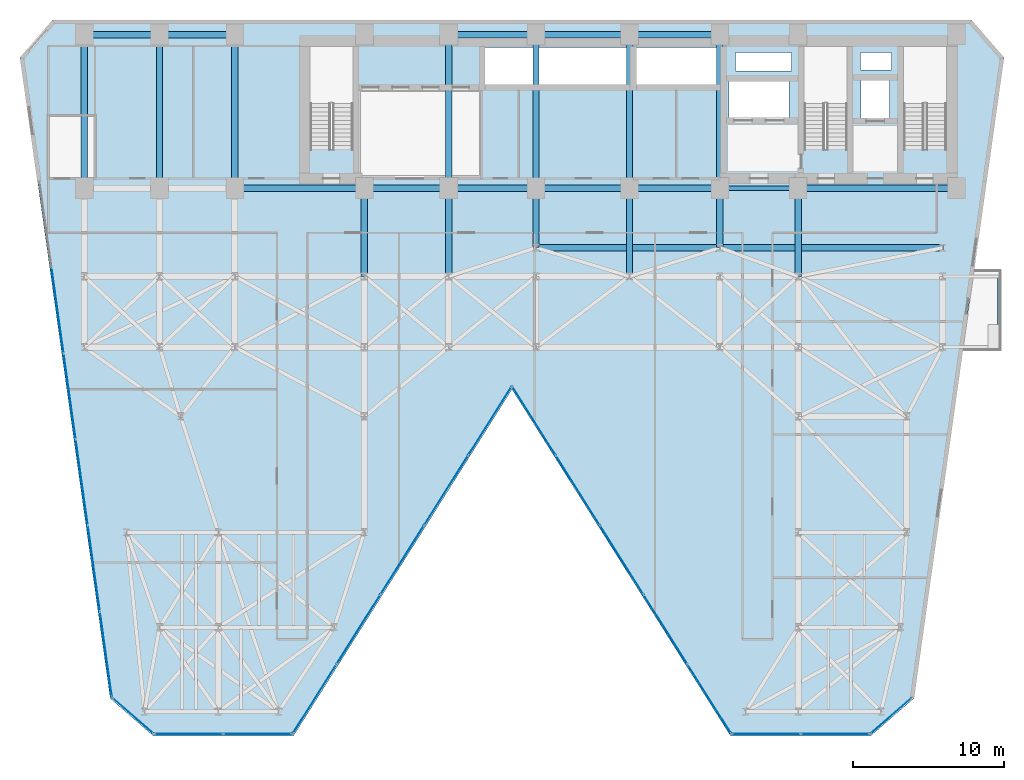
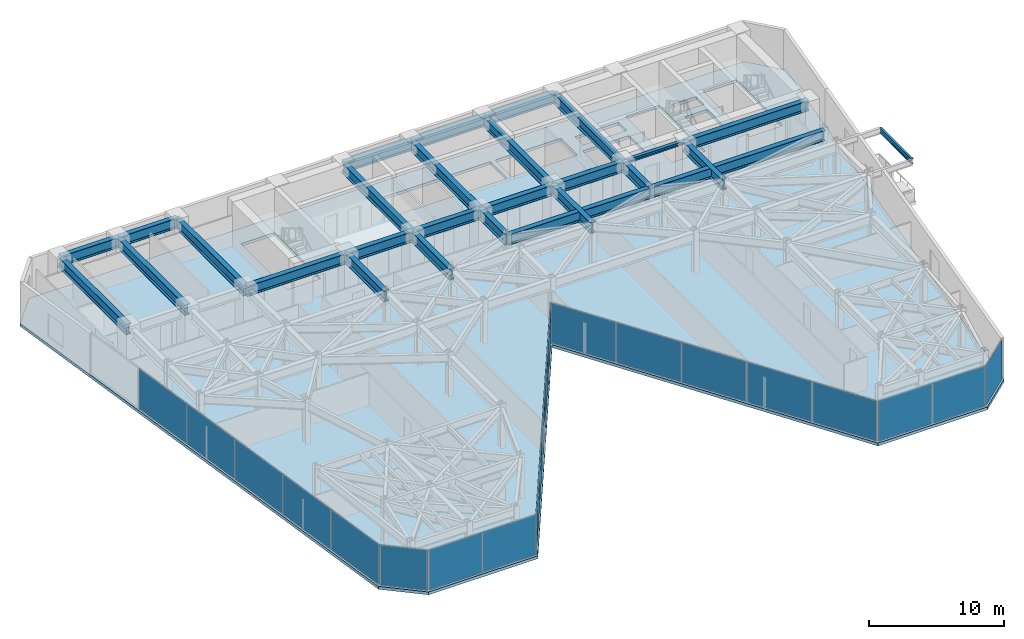
# One storey, part 18 of 24: 28 beams, 21 plates, 1 slab, 7 elements without a shape of their own.
"""IFC4 building model written with IfcOpenShell, lengths in metres."""

import ifcopenshell
import ifcopenshell.guid

model = None  # the IFC model being written
_history = None  # IfcOwnerHistory: only IFC2X3 demands one
_inside = {}  # id of a spatial element -> (the spatial element, [elements in it])
_under = {}  # id of a project, library or spatial element -> (it, [spatial elements below it])
_declared = {}  # id of a project -> (the project, [libraries it declares])
_typed = {}  # id of a type object -> (the type object, [elements of that type])
_made_of = {}  # id of a material, layer set ... -> (it, [elements and type objects made of it])


def new_model(schema):
    """Start an empty IFC model of exactly this schema.

    Asked for "IFC4X3", IfcOpenShell would pick the latest addendum, in which some entities
    have other attributes; the version numbers below select the first issue.
    IFC2X3 requires an IfcOwnerHistory on every rooted entity: one is made here for all.
    """
    global model, _history
    if schema == "IFC4X3":
        model = ifcopenshell.file(schema_version=(4, 3, 0, 0))
    else:
        model = ifcopenshell.file(schema=schema)
    _inside.clear()
    _under.clear()
    _declared.clear()
    _typed.clear()
    _made_of.clear()
    _history = None
    if model.schema == "IFC2X3":
        org = make("IfcOrganization", Name="unknown")
        user = make(
            "IfcPersonAndOrganization",
            ThePerson=make("IfcPerson", FamilyName="unknown"),
            TheOrganization=org,
        )
        app = make(
            "IfcApplication",
            ApplicationDeveloper=org,
            Version="unknown",
            ApplicationFullName="unknown",
            ApplicationIdentifier="unknown",
        )
        _history = make(
            "IfcOwnerHistory",
            OwningUser=user,
            OwningApplication=app,
            ChangeAction="ADDED",
            CreationDate=0,
        )
    return model


def make(cls, **values):
    """One entity of the class cls with the attributes given. An attribute that is None is left unset."""
    return model.create_entity(
        cls, **{name: value for name, value in values.items() if value is not None}
    )


def rooted(cls, **values):
    """An entity with a GlobalId (a new one), such as an element, a storey or a relation."""
    return make(cls, GlobalId=ifcopenshell.guid.new(), OwnerHistory=_history, **values)


def si_unit(unit_type, name, prefix=None):
    """IfcSIUnit, for example si_unit("LENGTHUNIT", "METRE", prefix="MILLI")."""
    return make("IfcSIUnit", UnitType=unit_type, Prefix=prefix, Name=name)


def assignment(units):
    """IfcUnitAssignment: the units of a project."""
    return None if units is None else make("IfcUnitAssignment", Units=units)


def point(xyz):
    """IfcCartesianPoint."""
    return None if xyz is None else make("IfcCartesianPoint", Coordinates=xyz)


def direction(xyz):
    """IfcDirection."""
    return None if xyz is None else make("IfcDirection", DirectionRatios=xyz)


def frame(location, z_axis=None, x_axis=None):
    """IfcAxis2Placement3D, a coordinate frame: its origin and axes. An axis left out is left unset."""
    return make(
        "IfcAxis2Placement3D",
        Location=point(location),
        Axis=direction(z_axis),
        RefDirection=direction(x_axis),
    )


def frame_2d(location, x_axis=None):
    """IfcAxis2Placement2D, a coordinate frame in the plane: its origin and x axis."""
    return make(
        "IfcAxis2Placement2D", Location=point(location), RefDirection=direction(x_axis)
    )


def origin():
    """The frame at (0, 0, 0) with its axes left unset."""
    return frame((0.0, 0.0, 0.0))


def origin_2d():
    """The frame at (0, 0) in the plane with its x axis left unset."""
    return frame_2d((0.0, 0.0))


def place(relative_to, where):
    """IfcLocalPlacement: puts the frame where relative to a parent placement (None: the world)."""
    return make(
        "IfcLocalPlacement", PlacementRelTo=relative_to, RelativePlacement=where
    )


def context(
    kind, dimensions, precision=None, world=None, true_north=None, identifier=None
):
    """IfcGeometricRepresentationContext, for example the 3D "Model" context."""
    return make(
        "IfcGeometricRepresentationContext",
        ContextIdentifier=identifier,
        ContextType=kind,
        CoordinateSpaceDimension=dimensions,
        Precision=precision,
        WorldCoordinateSystem=world,
        TrueNorth=true_north,
    )


def subcontext(parent, identifier, kind, view, scale=None):
    """IfcGeometricRepresentationSubContext, for example "Body" below "Model"."""
    return make(
        "IfcGeometricRepresentationSubContext",
        ContextIdentifier=identifier,
        ContextType=kind,
        ParentContext=parent,
        TargetScale=scale,
        TargetView=view,
    )


def project(units=None, contexts=None):
    """IfcProject with its units and contexts."""
    return rooted(
        "IfcProject",
        Name="project",
        RepresentationContexts=contexts,
        UnitsInContext=assignment(units),
    )


def spatial(cls, under=None, at=None, **own):
    """A site, building, storey or space (cls), placed at a placement, below another one or the project."""
    s = rooted(cls, ObjectPlacement=at, **own)
    if under is not None:
        _under.setdefault(under.id(), (under, []))[1].append(s)
    return s


def polyline(points):
    """IfcPolyline through the points."""
    return make("IfcPolyline", Points=[point(p) for p in points])


def profile(cls, at=None, kind="AREA", **sizes):
    """A parametric profile (cls). Its sizes go by their IFC names, for example OverallWidth=200.0."""
    return make(cls, ProfileType=kind, Position=at, **sizes)


def rectangle(**sizes):
    """IfcRectangleProfileDef."""
    return profile("IfcRectangleProfileDef", **sizes)


def i_section(**sizes):
    """IfcIShapeProfileDef."""
    return profile("IfcIShapeProfileDef", **sizes)


def outline(outer, holes=None, kind="AREA"):
    """IfcArbitraryClosedProfileDef: a profile drawn as a closed curve; with holes, ...WithVoids."""
    if holes is None:
        return make("IfcArbitraryClosedProfileDef", ProfileType=kind, OuterCurve=outer)
    return make(
        "IfcArbitraryProfileDefWithVoids",
        ProfileType=kind,
        OuterCurve=outer,
        InnerCurves=holes,
    )


def extrude(swept, where, along, depth):
    """IfcExtrudedAreaSolid: the profile swept, set in the frame where, extruded along a direction by depth."""
    return make(
        "IfcExtrudedAreaSolid",
        SweptArea=swept,
        Position=where,
        ExtrudedDirection=direction(along),
        Depth=depth,
    )


def shape(context_of_items, identifier, shape_type, items):
    """IfcShapeRepresentation: the items that make up one representation, for example the "Body"."""
    return make(
        "IfcShapeRepresentation",
        ContextOfItems=context_of_items,
        RepresentationIdentifier=identifier,
        RepresentationType=shape_type,
        Items=items,
    )


def material(Name=None, Category=None):
    """IfcMaterial."""
    return make("IfcMaterial", Name=Name, Category=Category)


def layer(
    of_material, thickness, ventilated=None, Name=None, Category=None, Priority=None
):
    """IfcMaterialLayer: one layer of a wall or slab, of a material (None: an air gap)."""
    return make(
        "IfcMaterialLayer",
        Material=of_material,
        LayerThickness=thickness,
        IsVentilated=ventilated,
        Name=Name,
        Category=Category,
        Priority=Priority,
    )


def layer_set(layers, Name=None):
    """IfcMaterialLayerSet."""
    return make("IfcMaterialLayerSet", MaterialLayers=layers, LayerSetName=Name)


def material_profile(
    of_material, cross_section, Name=None, Category=None, Priority=None
):
    """IfcMaterialProfile: a cross section and its material."""
    return make(
        "IfcMaterialProfile",
        Name=Name,
        Material=of_material,
        Profile=cross_section,
        Priority=Priority,
        Category=Category,
    )


def profile_set(profiles, Name=None, composite=None):
    """IfcMaterialProfileSet."""
    return make(
        "IfcMaterialProfileSet",
        Name=Name,
        MaterialProfiles=profiles,
        CompositeProfile=composite,
    )


def made_of(thing, what):
    """Note that an element or type object is made of a material, layer set ...; save() writes the relation."""
    if what is not None:
        _made_of.setdefault(what.id(), (what, []))[1].append(thing)
    return thing


def type_object(cls, material=None, **own):
    """A type object (cls), such as IfcWallType, which elements share."""
    return made_of(rooted(cls, **own), material)


def element(
    cls,
    number,
    at=None,
    inside=None,
    cuts=None,
    type_object=None,
    material=None,
    context=None,
    identifier="Body",
    shape_type=None,
    held_by="IfcProductDefinitionShape",
    body=None,
    shapes=None,
    **own,
):
    """One element of the class cls, such as IfcWall. Its Tag is "e" and its number.

    at: its placement. inside: the storey or other place that contains it. cuts: it is an
    opening in that element (IfcRelVoidsElement). A single representation is given by context,
    identifier, shape_type and body (its items); several are given by shapes. held_by: the class
    of the entity that holds the representations. save() writes the other relations.
    """
    e = rooted(cls, Tag="e%d" % number, ObjectPlacement=at, **own)
    if body is not None:
        shapes = [shape(context, identifier, shape_type, body)]
    if shapes is not None:
        e.Representation = make(held_by, Representations=shapes)
    if inside is not None:
        _inside.setdefault(inside.id(), (inside, []))[1].append(e)
    if cuts is not None:
        rooted(
            "IfcRelVoidsElement", RelatingBuildingElement=cuts, RelatedOpeningElement=e
        )
    if type_object is not None:
        _typed.setdefault(type_object.id(), (type_object, []))[1].append(e)
    return made_of(e, material)


def aggregate(whole, parts):
    """IfcRelAggregates: a whole, such as a stair, and the parts it consists of."""
    return rooted("IfcRelAggregates", RelatingObject=whole, RelatedObjects=parts)


def save(model, path):
    """Write the relations noted so far, then the file.

    IfcRelAggregates (storeys below a building ...), IfcRelContainedInSpatialStructure (elements
    in a storey), IfcRelDefinesByType, IfcRelAssociatesMaterial and IfcRelDeclares: one each for
    every whole, place, type object, material and project.
    """
    for whole, parts in _under.values():
        aggregate(whole, parts)
    for where, things in _inside.values():
        rooted(
            "IfcRelContainedInSpatialStructure",
            RelatedElements=things,
            RelatingStructure=where,
        )
    for kind, things in _typed.values():
        rooted("IfcRelDefinesByType", RelatedObjects=things, RelatingType=kind)
    for what, things in _made_of.values():
        rooted("IfcRelAssociatesMaterial", RelatedObjects=things, RelatingMaterial=what)
    for by, libraries in _declared.values():
        rooted("IfcRelDeclares", RelatingContext=by, RelatedDefinitions=libraries)
    model.write(path)


model = new_model("IFC4")

# Units and contexts
model_context = context("Model", 3, precision=1e-05, world=origin(), true_north=direction((0.0, 1.0)))
body_context = subcontext(model_context, "Body", "Model", "MODEL_VIEW")
ifc_project = project(units=[si_unit("LENGTHUNIT", "METRE"), si_unit("AREAUNIT", "SQUARE_METRE"), si_unit("VOLUMEUNIT", "CUBIC_METRE"), si_unit("PLANEANGLEUNIT", "RADIAN"), si_unit("MASSUNIT", "GRAM", prefix="KILO")], contexts=[model_context])

# Site, building, storey
site_placement = place(None, origin())
site = spatial("IfcSite", under=ifc_project, at=site_placement, CompositionType="ELEMENT")
building_placement = place(site_placement, origin())
building = spatial("IfcBuilding", under=site, at=building_placement, Name="Kravanh Interchange Tower", CompositionType="ELEMENT")
storey_placement = place(building_placement, frame((0.0, 0.0, 69.5)))
storey = spatial("IfcBuildingStorey", under=building, at=storey_placement, Name="L16", CompositionType="ELEMENT", Elevation=69.5)

# Beams
ifc_material_1 = material(Name="Structural Steel S355", Category="steel")
ifc_material_profile_1 = material_profile(ifc_material_1, i_section(OverallWidth=0.41796875, OverallDepth=0.927001953125, WebThickness=0.019287109375, FlangeThickness=0.031982421875, FilletRadius=0.028076171875, at=origin_2d()), Name="W36X231")
ifc_profile_set_1 = profile_set([ifc_material_profile_1], Name="Structural Steel S355")
beam_type_1 = type_object("IfcBeamType", Name="Floor Beam W36X231 Structural Steel S355", PredefinedType="BEAM", material=ifc_profile_set_1)
beam_1_placement = place(storey_placement, frame((66.5, 37.35009765625, 3.276611328125), z_axis=(-1.0, 0.0, 0.0), x_axis=(0.0, -1.0, 0.0)))
element("IfcBeam", 1, at=beam_1_placement, inside=storey, type_object=beam_type_1, Name="L16 Primary Floor Girder 5", PredefinedType="BEAM", context=body_context, shape_type="SweptSolid", body=[
    extrude(i_section(OverallWidth=0.41796875, OverallDepth=0.927001953125, WebThickness=0.019287109375, FlangeThickness=0.031982421875, FilletRadius=0.028076171875, at=origin_2d()), origin(), (0.0, 0.0, 1.0), 10.5),
])
beam_2_placement = place(storey_placement, frame((56.0, 37.35009765625, 3.276611328125), z_axis=(0.0, -1.0, 0.0), x_axis=(1.0, 0.0, 0.0)))
element("IfcBeam", 2, at=beam_2_placement, inside=storey, type_object=beam_type_1, Name="L16 Primary Floor Girder 7", PredefinedType="BEAM", context=body_context, shape_type="SweptSolid", body=[
    extrude(i_section(OverallWidth=0.41796875, OverallDepth=0.927001953125, WebThickness=0.019287109375, FlangeThickness=0.031982421875, FilletRadius=0.028076171875, at=origin_2d()), origin(), (0.0, 0.0, 1.0), 5.85009765625),
])
beam_3_placement = place(storey_placement, frame((50.800048828125, 47.550048828125, 3.276611328125), z_axis=(-1.0, 0.0, 0.0), x_axis=(0.0, -1.0, 0.0)))
element("IfcBeam", 3, at=beam_3_placement, inside=storey, type_object=beam_type_1, Name="L16 Primary Floor Girder 8", PredefinedType="BEAM", context=body_context, shape_type="SweptSolid", body=[
    extrude(i_section(OverallWidth=0.41796875, OverallDepth=0.927001953125, WebThickness=0.019287109375, FlangeThickness=0.031982421875, FilletRadius=0.028076171875, at=origin_2d()), origin(), (0.0, 0.0, 1.0), 6.0),
])
beam_4_placement = place(storey_placement, frame((50.800048828125, 47.550048828125, 3.276611328125), z_axis=(0.0, -1.0, 0.0), x_axis=(1.0, 0.0, 0.0)))
element("IfcBeam", 4, at=beam_4_placement, inside=storey, type_object=beam_type_1, Name="L16 Primary Floor Girder 9", PredefinedType="BEAM", context=body_context, shape_type="SweptSolid", body=[
    extrude(i_section(OverallWidth=0.41796875, OverallDepth=0.927001953125, WebThickness=0.019287109375, FlangeThickness=0.031982421875, FilletRadius=0.028076171875, at=origin_2d()), origin(), (0.0, 0.0, 1.0), 10.199951171875),
])
beam_5_placement = place(storey_placement, frame((50.800048828125, 37.35009765625, 3.276611328125), z_axis=(0.0, -1.0, 0.0), x_axis=(1.0, 0.0, 0.0)))
element("IfcBeam", 5, at=beam_5_placement, inside=storey, type_object=beam_type_1, Name="L16 Primary Floor Girder 10", PredefinedType="BEAM", context=body_context, shape_type="SweptSolid", body=[
    extrude(i_section(OverallWidth=0.41796875, OverallDepth=0.927001953125, WebThickness=0.019287109375, FlangeThickness=0.031982421875, FilletRadius=0.028076171875, at=origin_2d()), origin(), (0.0, 0.0, 1.0), 3.9501953125),
])
beam_6_placement = place(storey_placement, frame((50.800048828125, 37.35009765625, 3.276611328125), z_axis=(-1.0, 0.0, 0.0), x_axis=(0.0, -1.0, 0.0)))
element("IfcBeam", 6, at=beam_6_placement, inside=storey, type_object=beam_type_1, Name="L16 Primary Floor Girder 11", PredefinedType="BEAM", context=body_context, shape_type="SweptSolid", body=[
    extrude(i_section(OverallWidth=0.41796875, OverallDepth=0.927001953125, WebThickness=0.019287109375, FlangeThickness=0.031982421875, FilletRadius=0.028076171875, at=origin_2d()), origin(), (0.0, 0.0, 1.0), 6.0),
])
beam_7_placement = place(storey_placement, frame((44.800048828125, 37.35009765625, 3.276611328125), z_axis=(0.0, -1.0, 0.0), x_axis=(1.0, 0.0, 0.0)))
element("IfcBeam", 7, at=beam_7_placement, inside=storey, type_object=beam_type_1, Name="L16 Primary Floor Girder 12", PredefinedType="BEAM", context=body_context, shape_type="SweptSolid", body=[
    extrude(i_section(OverallWidth=0.41796875, OverallDepth=0.927001953125, WebThickness=0.019287109375, FlangeThickness=0.031982421875, FilletRadius=0.028076171875, at=origin_2d()), origin(), (0.0, 0.0, 1.0), 5.85009765625),
])
beam_8_placement = place(storey_placement, frame((44.800048828125, 37.35009765625, 3.276611328125), z_axis=(-1.0, 0.0, 0.0), x_axis=(0.0, -1.0, 0.0)))
element("IfcBeam", 8, at=beam_8_placement, inside=storey, type_object=beam_type_1, Name="L16 Primary Floor Girder 13", PredefinedType="BEAM", context=body_context, shape_type="SweptSolid", body=[
    extrude(i_section(OverallWidth=0.41796875, OverallDepth=0.927001953125, WebThickness=0.019287109375, FlangeThickness=0.031982421875, FilletRadius=0.028076171875, at=origin_2d()), origin(), (0.0, 0.0, 1.0), 6.199951171875),
])
beam_9_placement = place(storey_placement, frame((44.800048828125, 37.35009765625, 3.276611328125), z_axis=(0.0, 1.0, 0.0), x_axis=(-1.0, 0.0, 0.0)))
element("IfcBeam", 9, at=beam_9_placement, inside=storey, type_object=beam_type_1, Name="L16 Primary Floor Girder 14", PredefinedType="BEAM", context=body_context, shape_type="SweptSolid", body=[
    extrude(i_section(OverallWidth=0.41796875, OverallDepth=0.927001953125, WebThickness=0.019287109375, FlangeThickness=0.031982421875, FilletRadius=0.028076171875, at=origin_2d()), origin(), (0.0, 0.0, 1.0), 10.199951171875),
])
beam_10_placement = place(storey_placement, frame((44.800048828125, 47.550048828125, 3.276611328125), z_axis=(-1.0, 0.0, 0.0), x_axis=(0.0, -1.0, 0.0)))
element("IfcBeam", 10, at=beam_10_placement, inside=storey, type_object=beam_type_1, Name="L16 Primary Floor Girder 15", PredefinedType="BEAM", context=body_context, shape_type="SweptSolid", body=[
    extrude(i_section(OverallWidth=0.41796875, OverallDepth=0.927001953125, WebThickness=0.019287109375, FlangeThickness=0.031982421875, FilletRadius=0.028076171875, at=origin_2d()), origin(), (0.0, 0.0, 1.0), 6.199951171875),
])
beam_11_placement = place(storey_placement, frame((38.60009765625, 37.35009765625, 3.276611328125), z_axis=(0.0, -1.0, 0.0), x_axis=(1.0, 0.0, 0.0)))
element("IfcBeam", 11, at=beam_11_placement, inside=storey, type_object=beam_type_1, Name="L16 Primary Floor Girder 16", PredefinedType="BEAM", context=body_context, shape_type="SweptSolid", body=[
    extrude(i_section(OverallWidth=0.41796875, OverallDepth=0.927001953125, WebThickness=0.019287109375, FlangeThickness=0.031982421875, FilletRadius=0.028076171875, at=origin_2d()), origin(), (0.0, 0.0, 1.0), 3.9501953125),
])
beam_12_placement = place(storey_placement, frame((38.60009765625, 37.35009765625, 3.276611328125), z_axis=(-1.0, 0.0, 0.0), x_axis=(0.0, -1.0, 0.0)))
element("IfcBeam", 12, at=beam_12_placement, inside=storey, type_object=beam_type_1, Name="L16 Primary Floor Girder 17", PredefinedType="BEAM", context=body_context, shape_type="SweptSolid", body=[
    extrude(i_section(OverallWidth=0.41796875, OverallDepth=0.927001953125, WebThickness=0.019287109375, FlangeThickness=0.031982421875, FilletRadius=0.028076171875, at=origin_2d()), origin(), (0.0, 0.0, 1.0), 5.800048828125),
])
beam_13_placement = place(storey_placement, frame((38.60009765625, 37.35009765625, 3.276611328125), z_axis=(0.0, 1.0, 0.0), x_axis=(-1.0, 0.0, 0.0)))
element("IfcBeam", 13, at=beam_13_placement, inside=storey, type_object=beam_type_1, Name="L16 Primary Floor Girder 18", PredefinedType="BEAM", context=body_context, shape_type="SweptSolid", body=[
    extrude(i_section(OverallWidth=0.41796875, OverallDepth=0.927001953125, WebThickness=0.019287109375, FlangeThickness=0.031982421875, FilletRadius=0.028076171875, at=origin_2d()), origin(), (0.0, 0.0, 1.0), 10.199951171875),
])
beam_14_placement = place(storey_placement, frame((38.60009765625, 47.550048828125, 3.276611328125), z_axis=(-1.0, 0.0, 0.0), x_axis=(0.0, -1.0, 0.0)))
element("IfcBeam", 14, at=beam_14_placement, inside=storey, type_object=beam_type_1, Name="L16 Primary Floor Girder 19", PredefinedType="BEAM", context=body_context, shape_type="SweptSolid", body=[
    extrude(i_section(OverallWidth=0.41796875, OverallDepth=0.927001953125, WebThickness=0.019287109375, FlangeThickness=0.031982421875, FilletRadius=0.028076171875, at=origin_2d()), origin(), (0.0, 0.0, 1.0), 5.800048828125),
])
beam_15_placement = place(storey_placement, frame((32.800048828125, 37.35009765625, 3.276611328125), z_axis=(-1.0, 0.0, 0.0), x_axis=(0.0, -1.0, 0.0)))
element("IfcBeam", 15, at=beam_15_placement, inside=storey, type_object=beam_type_1, Name="L16 Primary Floor Girder 20", PredefinedType="BEAM", context=body_context, shape_type="SweptSolid", body=[
    extrude(i_section(OverallWidth=0.41796875, OverallDepth=0.927001953125, WebThickness=0.019287109375, FlangeThickness=0.031982421875, FilletRadius=0.028076171875, at=origin_2d()), origin(), (0.0, 0.0, 1.0), 5.60009765625),
])
beam_16_placement = place(storey_placement, frame((32.800048828125, 37.35009765625, 3.276611328125), z_axis=(0.0, -1.0, 0.0), x_axis=(1.0, 0.0, 0.0)))
element("IfcBeam", 16, at=beam_16_placement, inside=storey, type_object=beam_type_1, Name="L16 Primary Floor Girder 21", PredefinedType="BEAM", context=body_context, shape_type="SweptSolid", body=[
    extrude(i_section(OverallWidth=0.41796875, OverallDepth=0.927001953125, WebThickness=0.019287109375, FlangeThickness=0.031982421875, FilletRadius=0.028076171875, at=origin_2d()), origin(), (0.0, 0.0, 1.0), 5.85009765625),
])
beam_17_placement = place(storey_placement, frame((32.800048828125, 37.35009765625, 3.276611328125), z_axis=(0.0, 1.0, 0.0), x_axis=(-1.0, 0.0, 0.0)))
element("IfcBeam", 17, at=beam_17_placement, inside=storey, type_object=beam_type_1, Name="L16 Primary Floor Girder 22", PredefinedType="BEAM", context=body_context, shape_type="SweptSolid", body=[
    extrude(i_section(OverallWidth=0.41796875, OverallDepth=0.927001953125, WebThickness=0.019287109375, FlangeThickness=0.031982421875, FilletRadius=0.028076171875, at=origin_2d()), origin(), (0.0, 0.0, 1.0), 10.199951171875),
])
beam_18_placement = place(storey_placement, frame((27.199951171875, 37.35009765625, 3.276611328125), z_axis=(0.0, -1.0, 0.0), x_axis=(1.0, 0.0, 0.0)))
element("IfcBeam", 18, at=beam_18_placement, inside=storey, type_object=beam_type_1, Name="L16 Primary Floor Girder 24", PredefinedType="BEAM", context=body_context, shape_type="SweptSolid", body=[
    extrude(i_section(OverallWidth=0.41796875, OverallDepth=0.927001953125, WebThickness=0.019287109375, FlangeThickness=0.031982421875, FilletRadius=0.028076171875, at=origin_2d()), origin(), (0.0, 0.0, 1.0), 5.85009765625),
])
beam_19_placement = place(storey_placement, frame((27.199951171875, 37.35009765625, 3.276611328125), z_axis=(-1.0, 0.0, 0.0), x_axis=(0.0, -1.0, 0.0)))
element("IfcBeam", 19, at=beam_19_placement, inside=storey, type_object=beam_type_1, Name="L16 Primary Floor Girder 25", PredefinedType="BEAM", context=body_context, shape_type="SweptSolid", body=[
    extrude(i_section(OverallWidth=0.41796875, OverallDepth=0.927001953125, WebThickness=0.019287109375, FlangeThickness=0.031982421875, FilletRadius=0.028076171875, at=origin_2d()), origin(), (0.0, 0.0, 1.0), 8.599853515625),
])
beam_20_placement = place(storey_placement, frame((18.60009765625, 37.35009765625, 3.276611328125), z_axis=(0.0, 1.0, 0.0), x_axis=(-1.0, 0.0, 0.0)))
element("IfcBeam", 20, at=beam_20_placement, inside=storey, type_object=beam_type_1, Name="L16 Primary Floor Girder 30", PredefinedType="BEAM", context=body_context, shape_type="SweptSolid", body=[
    extrude(i_section(OverallWidth=0.41796875, OverallDepth=0.927001953125, WebThickness=0.019287109375, FlangeThickness=0.031982421875, FilletRadius=0.028076171875, at=origin_2d()), origin(), (0.0, 0.0, 1.0), 10.199951171875),
])
beam_21_placement = place(storey_placement, frame((18.60009765625, 47.550048828125, 3.276611328125), z_axis=(-1.0, 0.0, 0.0), x_axis=(0.0, -1.0, 0.0)))
element("IfcBeam", 21, at=beam_21_placement, inside=storey, type_object=beam_type_1, Name="L16 Primary Floor Girder 31", PredefinedType="BEAM", context=body_context, shape_type="SweptSolid", body=[
    extrude(i_section(OverallWidth=0.41796875, OverallDepth=0.927001953125, WebThickness=0.019287109375, FlangeThickness=0.031982421875, FilletRadius=0.028076171875, at=origin_2d()), origin(), (0.0, 0.0, 1.0), 5.0),
])
beam_22_placement = place(storey_placement, frame((13.60009765625, 37.35009765625, 3.276611328125), z_axis=(0.0, 1.0, 0.0), x_axis=(-1.0, 0.0, 0.0)))
element("IfcBeam", 22, at=beam_22_placement, inside=storey, type_object=beam_type_1, Name="L16 Primary Floor Girder 34", PredefinedType="BEAM", context=body_context, shape_type="SweptSolid", body=[
    extrude(i_section(OverallWidth=0.41796875, OverallDepth=0.927001953125, WebThickness=0.019287109375, FlangeThickness=0.031982421875, FilletRadius=0.028076171875, at=origin_2d()), origin(), (0.0, 0.0, 1.0), 10.199951171875),
])
beam_23_placement = place(storey_placement, frame((13.60009765625, 47.550048828125, 3.276611328125), z_axis=(-1.0, 0.0, 0.0), x_axis=(0.0, -1.0, 0.0)))
element("IfcBeam", 23, at=beam_23_placement, inside=storey, type_object=beam_type_1, Name="L16 Primary Floor Girder 35", PredefinedType="BEAM", context=body_context, shape_type="SweptSolid", body=[
    extrude(i_section(OverallWidth=0.41796875, OverallDepth=0.927001953125, WebThickness=0.019287109375, FlangeThickness=0.031982421875, FilletRadius=0.028076171875, at=origin_2d()), origin(), (0.0, 0.0, 1.0), 5.0),
])
beam_24_placement = place(storey_placement, frame((8.60009765625, 37.35009765625, 3.276611328125), z_axis=(0.0, 1.0, 0.0), x_axis=(-1.0, 0.0, 0.0)))
element("IfcBeam", 24, at=beam_24_placement, inside=storey, type_object=beam_type_1, Name="L16 Primary Floor Girder 37", PredefinedType="BEAM", context=body_context, shape_type="SweptSolid", body=[
    extrude(i_section(OverallWidth=0.41796875, OverallDepth=0.927001953125, WebThickness=0.019287109375, FlangeThickness=0.031982421875, FilletRadius=0.028076171875, at=origin_2d()), origin(), (0.0, 0.0, 1.0), 10.199951171875),
])
beam_25_placement = place(storey_placement, frame((38.60009765625, 33.39990234375, 3.276611328125), z_axis=(1.0, 0.0, 0.0), x_axis=(0.0, 1.0, 0.0)))
element("IfcBeam", 25, at=beam_25_placement, inside=storey, type_object=beam_type_1, Name="L16 Primary Floor Girder 145", PredefinedType="BEAM", context=body_context, shape_type="SweptSolid", body=[
    extrude(i_section(OverallWidth=0.41796875, OverallDepth=0.927001953125, WebThickness=0.019287109375, FlangeThickness=0.031982421875, FilletRadius=0.028076171875, at=origin_2d()), origin(), (0.0, 0.0, 1.0), 12.199951171875),
])
beam_26_placement = place(storey_placement, frame((50.800048828125, 33.39990234375, 3.276611328125), z_axis=(1.0, 0.0, 0.0), x_axis=(0.0, 1.0, 0.0)))
element("IfcBeam", 26, at=beam_26_placement, inside=storey, type_object=beam_type_1, Name="L16 Primary Floor Girder 146", PredefinedType="BEAM", context=body_context, shape_type="SweptSolid", body=[
    extrude(i_section(OverallWidth=0.41796875, OverallDepth=0.927001953125, WebThickness=0.019287109375, FlangeThickness=0.031982421875, FilletRadius=0.028076171875, at=origin_2d()), origin(), (0.0, 0.0, 1.0), 14.800048828125),
])
ifc_material_2 = material(Name="Structural Steel S355", Category="steel")
ifc_material_profile_2 = material_profile(ifc_material_2, i_section(OverallWidth=0.18994140625, OverallDepth=0.45703125, WebThickness=0.009033203125, FlangeThickness=0.014404296875, FilletRadius=0.01806640625, at=origin_2d()), Name="W18X50")
ifc_profile_set_2 = profile_set([ifc_material_profile_2], Name="Structural Steel S355")
beam_type_2 = type_object("IfcBeamType", Name="Floor Joist W18X50 Structural Steel S355", PredefinedType="JOIST", material=ifc_profile_set_2)
beam_27_placement = place(storey_placement, frame((69.330078125, 26.800048828125, 3.511474609375), z_axis=(0.0, 1.0, 0.0), x_axis=(-1.0, 0.0, 0.0)))
element("IfcBeam", 27, at=beam_27_placement, inside=storey, type_object=beam_type_2, Name="L16 Balcony Edge Tie Beam E", PredefinedType="JOIST", context=body_context, shape_type="SweptSolid", body=[
    extrude(i_section(OverallWidth=0.18994140625, OverallDepth=0.45703125, WebThickness=0.009033203125, FlangeThickness=0.014404296875, FilletRadius=0.01806640625, at=origin_2d()), origin(), (0.0, 0.0, 1.0), 4.699951171875),
])
ifc_material_3 = material(Name="Structural Steel S355", Category="steel")
ifc_material_profile_3 = material_profile(ifc_material_3, i_section(OverallWidth=0.304931640625, OverallDepth=0.306884765625, WebThickness=0.010009765625, FlangeThickness=0.015380859375, FilletRadius=0.014892578125, at=origin_2d()), Name="W12X65")
ifc_profile_set_3 = profile_set([ifc_material_profile_3], Name="Structural Steel S355")
beam_type_3 = type_object("IfcBeamType", Name="Floor Lintel W12X65 Structural Steel S355", PredefinedType="LINTEL", material=ifc_profile_set_3)
beam_28_placement = place(storey_placement, frame((50.800048828125, 37.35009765625, 3.58642578125), z_axis=(1.0, 0.0, 0.0), x_axis=(0.0, 1.0, 0.0)))
element("IfcBeam", 28, at=beam_28_placement, inside=storey, type_object=beam_type_3, Name="L16 Core Coupling Lintel 1", PredefinedType="LINTEL", context=body_context, shape_type="SweptSolid", body=[
    extrude(i_section(OverallWidth=0.304931640625, OverallDepth=0.306884765625, WebThickness=0.010009765625, FlangeThickness=0.015380859375, FilletRadius=0.014892578125, at=origin_2d()), origin(), (0.0, 0.0, 1.0), 5.199951171875),
])

# Slab
ifc_material_4 = material(Name="Concrete C50/60", Category="concrete")
ifc_layer_1 = layer(ifc_material_4, 0.260009765625)
ifc_layer_set_1 = layer_set([ifc_layer_1], Name="Composite Floor Slab Concrete C50/60 260mm")
slab_type = type_object("IfcSlabType", Name="Composite Floor Slab Concrete C50/60 260mm", PredefinedType="FLOOR", material=ifc_layer_set_1)
slab_placement = place(storey_placement, frame((0.0, 0.0, -0.260009765625)))
element("IfcSlab", 29, at=slab_placement, inside=storey, type_object=slab_type, Name="L16 Structural Floor Slab", PredefinedType="FLOOR", context=body_context, shape_type="SweptSolid", body=[
    extrude(outline(polyline([(10.327880859375, 3.4755859375), (13.17578125, 1.0), (22.5, 1.0), (37.0, 24.0), (51.5, 1.0), (60.82421875, 1.0), (63.672119140625, 3.4755859375), (69.652099609375, 46.0244140625), (67.5, 48.5), (6.5, 48.5), (4.347900390625, 46.0244140625), (10.327880859375, 3.4755859375)]), holes=[polyline([(65.85009765625, 39.925048828125), (65.85009765625, 46.75), (63.0, 46.75), (63.0, 39.925048828125), (65.85009765625, 39.925048828125)]), polyline([(59.25, 39.925048828125), (59.25, 46.75), (56.39990234375, 46.75), (56.39990234375, 39.925048828125), (59.25, 39.925048828125)]), polyline([(26.449951171875, 39.925048828125), (26.449951171875, 46.75), (23.60009765625, 46.75), (23.60009765625, 39.925048828125), (26.449951171875, 39.925048828125)]), polyline([(35.179931640625, 44.219970703125), (44.840087890625, 44.219970703125), (44.840087890625, 46.699951171875), (35.179931640625, 46.699951171875), (35.179931640625, 44.219970703125)]), polyline([(45.239990234375, 44.219970703125), (50.840087890625, 44.219970703125), (50.840087890625, 46.699951171875), (45.239990234375, 46.699951171875), (45.239990234375, 44.219970703125)]), polyline([(51.419921875, 42.02001953125), (55.3798828125, 42.02001953125), (55.3798828125, 44.47998046875), (51.419921875, 44.47998046875), (51.419921875, 42.02001953125)]), polyline([(60.179931640625, 41.97998046875), (62.06005859375, 41.97998046875), (62.06005859375, 44.52001953125), (60.179931640625, 44.52001953125), (60.179931640625, 41.97998046875)]), polyline([(60.14990234375, 45.199951171875), (62.199951171875, 45.199951171875), (62.199951171875, 46.35009765625), (60.14990234375, 46.35009765625), (60.14990234375, 45.199951171875)]), polyline([(51.85009765625, 45.14990234375), (55.550048828125, 45.14990234375), (55.550048828125, 46.35009765625), (51.85009765625, 46.35009765625), (51.85009765625, 45.14990234375)])]), origin(), (0.0, 0.0, 1.0), 0.260009765625),
])

# Curtain wall, plates
ifc_material_5 = material(Name="Anodised Bronze Aluminium", Category="aluminium")
ifc_layer_2 = layer(ifc_material_5, 0.179931640625)
ifc_layer_set_2 = layer_set([ifc_layer_2], Name="Unitised Curtain Wall System CW-Z1 Lower Office")
curtain_wall_type = type_object("IfcCurtainWallType", Name="Unitised Curtain Wall System CW-Z1 Lower Office", PredefinedType="NOTDEFINED", material=ifc_layer_set_2)
curtain_wall_1_placement = place(storey_placement, origin())
curtain_wall_1 = element("IfcCurtainWall", 30, at=curtain_wall_1_placement, inside=storey, type_object=curtain_wall_type, Name="L16 Unitised Curtain Wall CW-L16-01", PredefinedType="NOTDEFINED")
ifc_material_6 = material(Name="Low-E Laminated Architectural Glass", Category="glass")
ifc_layer_3 = layer(ifc_material_6, 0.028076171875)
ifc_layer_set_3 = layer_set([ifc_layer_3], Name="Solar-Control Double Glazing 28mm")
plate_type = type_object("IfcPlateType", Name="Solar-Control Double Glazing 28mm", PredefinedType="CURTAIN_PANEL", material=ifc_layer_set_3)
plate_1_placement = place(storey_placement, frame((10.03662109375, 6.409423828125, 0.06005859375), z_axis=(0.0, 0.0, 1.0), x_axis=(-0.139176538065, 0.990267585682, 0.0)))
plate_1 = element("IfcPlate", 31, at=plate_1_placement, type_object=plate_type, Name="CW-Z1 panel 1.1", PredefinedType="CURTAIN_PANEL", context=body_context, shape_type="SweptSolid", body=[
    extrude(rectangle(XDim=5.66162109375, YDim=0.028076171875, at=origin_2d()), origin(), (0.0, 0.0, 1.0), 3.6201171875),
])
plate_2_placement = place(storey_placement, frame((9.236572265625, 12.1025390625, 0.06005859375), z_axis=(0.0, 0.0, 1.0), x_axis=(-0.139176538065, 0.990267585682, 0.0)))
plate_2 = element("IfcPlate", 32, at=plate_2_placement, type_object=plate_type, Name="CW-Z1 panel 2.1", PredefinedType="CURTAIN_PANEL", context=body_context, shape_type="SweptSolid", body=[
    extrude(rectangle(XDim=5.69677734375, YDim=0.028076171875, at=origin_2d()), origin(), (0.0, 0.0, 1.0), 3.6201171875),
])
plate_3_placement = place(storey_placement, frame((8.433837890625, 17.813232421875, 0.06005859375), z_axis=(0.0, 0.0, 1.0), x_axis=(-0.139176538065, 0.990267585682, 0.0)))
plate_3 = element("IfcPlate", 33, at=plate_3_placement, type_object=plate_type, Name="CW-Z1 panel 3.1", PredefinedType="CURTAIN_PANEL", context=body_context, shape_type="SweptSolid", body=[
    extrude(rectangle(XDim=5.69677734375, YDim=0.028076171875, at=origin_2d()), origin(), (0.0, 0.0, 1.0), 3.6201171875),
])
plate_4_placement = place(storey_placement, frame((7.63134765625, 23.523681640625, 0.06005859375), z_axis=(0.0, 0.0, 1.0), x_axis=(-0.139176538065, 0.990267585682, 0.0)))
plate_4 = element("IfcPlate", 34, at=plate_4_placement, type_object=plate_type, Name="CW-Z1 panel 4.1", PredefinedType="CURTAIN_PANEL", context=body_context, shape_type="SweptSolid", body=[
    extrude(rectangle(XDim=5.69677734375, YDim=0.028076171875, at=origin_2d()), origin(), (0.0, 0.0, 1.0), 3.6201171875),
])
plate_5_placement = place(storey_placement, frame((6.828857421875, 29.234130859375, 0.06005859375), z_axis=(0.0, 0.0, 1.0), x_axis=(-0.139176538065, 0.990267585682, 0.0)))
plate_5 = element("IfcPlate", 35, at=plate_5_placement, type_object=plate_type, Name="CW-Z1 panel 5.1", PredefinedType="CURTAIN_PANEL", context=body_context, shape_type="SweptSolid", body=[
    extrude(rectangle(XDim=5.69677734375, YDim=0.028076171875, at=origin_2d()), origin(), (0.0, 0.0, 1.0), 3.6201171875),
])
aggregate(curtain_wall_1, [plate_1, plate_2, plate_3, plate_4, plate_5])

# Curtain wall, plate
curtain_wall_2_placement = place(storey_placement, origin())
curtain_wall_2 = element("IfcCurtainWall", 36, at=curtain_wall_2_placement, inside=storey, type_object=curtain_wall_type, Name="L16 Unitised Curtain Wall CW-L16-02", PredefinedType="NOTDEFINED")
plate_6_placement = place(storey_placement, frame((62.16943359375, 2.328369140625, 0.06005859375), z_axis=(0.0, 0.0, 1.0), x_axis=(-0.754708368999, -0.656060422341, 0.0)))
plate_6 = element("IfcPlate", 37, at=plate_6_placement, type_object=plate_type, Name="CW-Z1 panel 1.1", PredefinedType="CURTAIN_PANEL", context=body_context, shape_type="SweptSolid", body=[
    extrude(rectangle(XDim=3.543701171875, YDim=0.028076171875, at=origin_2d()), origin(), (0.0, 0.0, 1.0), 3.6201171875),
])
aggregate(curtain_wall_2, [plate_6])

# Curtain wall, plates
curtain_wall_3_placement = place(storey_placement, origin())
curtain_wall_3 = element("IfcCurtainWall", 38, at=curtain_wall_3_placement, inside=storey, type_object=curtain_wall_type, Name="L16 Unitised Curtain Wall CW-L16-03", PredefinedType="NOTDEFINED")
plate_7_placement = place(storey_placement, frame((58.45849609375, 1.1201171875, 0.06005859375), z_axis=(0.0, 0.0, 1.0), x_axis=(-1.0, 0.0, 0.0)))
plate_7 = element("IfcPlate", 39, at=plate_7_placement, type_object=plate_type, Name="CW-Z1 panel 1.1", PredefinedType="CURTAIN_PANEL", context=body_context, shape_type="SweptSolid", body=[
    extrude(rectangle(XDim=4.501708984375, YDim=0.028076171875, at=origin_2d()), origin(), (0.0, 0.0, 1.0), 3.6201171875),
])
plate_8_placement = place(storey_placement, frame((53.886962890625, 1.1201171875, 0.06005859375), z_axis=(0.0, 0.0, 1.0), x_axis=(-1.0, 0.0, 0.0)))
plate_8 = element("IfcPlate", 40, at=plate_8_placement, type_object=plate_type, Name="CW-Z1 panel 2.1", PredefinedType="CURTAIN_PANEL", context=body_context, shape_type="SweptSolid", body=[
    extrude(rectangle(XDim=4.501708984375, YDim=0.028076171875, at=origin_2d()), origin(), (0.0, 0.0, 1.0), 3.6201171875),
])
aggregate(curtain_wall_3, [plate_7, plate_8])

curtain_wall_4_placement = place(storey_placement, origin())
curtain_wall_4 = element("IfcCurtainWall", 41, at=curtain_wall_4_placement, inside=storey, type_object=curtain_wall_type, Name="L16 Unitised Curtain Wall CW-L16-04", PredefinedType="NOTDEFINED")
plate_9_placement = place(storey_placement, frame((50.100341796875, 3.4453125, 0.06005859375), z_axis=(0.0, 0.0, 1.0), x_axis=(-0.53330103728, 0.845925530786, 0.0)))
plate_9 = element("IfcPlate", 42, at=plate_9_placement, type_object=plate_type, Name="CW-Z1 panel 1.1", PredefinedType="CURTAIN_PANEL", context=body_context, shape_type="SweptSolid", body=[
    extrude(rectangle(XDim=5.357666015625, YDim=0.028076171875, at=origin_2d()), origin(), (0.0, 0.0, 1.0), 3.6201171875),
])
plate_10_placement = place(storey_placement, frame((47.1962890625, 8.051513671875, 0.06005859375), z_axis=(0.0, 0.0, 1.0), x_axis=(-0.53330103728, 0.845925530786, 0.0)))
plate_10 = element("IfcPlate", 43, at=plate_10_placement, type_object=plate_type, Name="CW-Z1 panel 2.1", PredefinedType="CURTAIN_PANEL", context=body_context, shape_type="SweptSolid", body=[
    extrude(rectangle(XDim=5.392578125, YDim=0.028076171875, at=origin_2d()), origin(), (0.0, 0.0, 1.0), 3.6201171875),
])
plate_11_placement = place(storey_placement, frame((44.283203125, 12.672607421875, 0.06005859375), z_axis=(0.0, 0.0, 1.0), x_axis=(-0.53330103728, 0.845925530786, 0.0)))
plate_11 = element("IfcPlate", 44, at=plate_11_placement, type_object=plate_type, Name="CW-Z1 panel 3.1", PredefinedType="CURTAIN_PANEL", context=body_context, shape_type="SweptSolid", body=[
    extrude(rectangle(XDim=5.392578125, YDim=0.028076171875, at=origin_2d()), origin(), (0.0, 0.0, 1.0), 3.6201171875),
])
plate_12_placement = place(storey_placement, frame((41.369873046875, 17.29345703125, 0.06005859375), z_axis=(0.0, 0.0, 1.0), x_axis=(-0.53330103728, 0.845925530786, 0.0)))
plate_12 = element("IfcPlate", 45, at=plate_12_placement, type_object=plate_type, Name="CW-Z1 panel 4.1", PredefinedType="CURTAIN_PANEL", context=body_context, shape_type="SweptSolid", body=[
    extrude(rectangle(XDim=5.392578125, YDim=0.028076171875, at=origin_2d()), origin(), (0.0, 0.0, 1.0), 3.6201171875),
])
plate_13_placement = place(storey_placement, frame((38.466064453125, 21.899658203125, 0.06005859375), z_axis=(0.0, 0.0, 1.0), x_axis=(-0.53330103728, 0.845925530786, 0.0)))
plate_13 = element("IfcPlate", 46, at=plate_13_placement, type_object=plate_type, Name="CW-Z1 panel 5.1", PredefinedType="CURTAIN_PANEL", context=body_context, shape_type="SweptSolid", body=[
    extrude(rectangle(XDim=5.357666015625, YDim=0.028076171875, at=origin_2d()), origin(), (0.0, 0.0, 1.0), 3.6201171875),
])
aggregate(curtain_wall_4, [plate_9, plate_10, plate_11, plate_12, plate_13])

curtain_wall_5_placement = place(storey_placement, origin())
curtain_wall_5 = element("IfcCurtainWall", 47, at=curtain_wall_5_placement, inside=storey, type_object=curtain_wall_type, Name="L16 Unitised Curtain Wall CW-L16-05", PredefinedType="NOTDEFINED")
plate_14_placement = place(storey_placement, frame((35.533935546875, 21.899658203125, 0.06005859375), z_axis=(0.0, 0.0, 1.0), x_axis=(-0.53330103728, -0.845925530786, 0.0)))
plate_14 = element("IfcPlate", 48, at=plate_14_placement, type_object=plate_type, Name="CW-Z1 panel 1.1", PredefinedType="CURTAIN_PANEL", context=body_context, shape_type="SweptSolid", body=[
    extrude(rectangle(XDim=5.357666015625, YDim=0.028076171875, at=origin_2d()), origin(), (0.0, 0.0, 1.0), 3.6201171875),
])
plate_15_placement = place(storey_placement, frame((32.630126953125, 17.29345703125, 0.06005859375), z_axis=(0.0, 0.0, 1.0), x_axis=(-0.53330103728, -0.845925530786, 0.0)))
plate_15 = element("IfcPlate", 49, at=plate_15_placement, type_object=plate_type, Name="CW-Z1 panel 2.1", PredefinedType="CURTAIN_PANEL", context=body_context, shape_type="SweptSolid", body=[
    extrude(rectangle(XDim=5.392578125, YDim=0.028076171875, at=origin_2d()), origin(), (0.0, 0.0, 1.0), 3.6201171875),
])
plate_16_placement = place(storey_placement, frame((29.716796875, 12.672607421875, 0.06005859375), z_axis=(0.0, 0.0, 1.0), x_axis=(-0.53330103728, -0.845925530786, 0.0)))
plate_16 = element("IfcPlate", 50, at=plate_16_placement, type_object=plate_type, Name="CW-Z1 panel 3.1", PredefinedType="CURTAIN_PANEL", context=body_context, shape_type="SweptSolid", body=[
    extrude(rectangle(XDim=5.392578125, YDim=0.028076171875, at=origin_2d()), origin(), (0.0, 0.0, 1.0), 3.6201171875),
])
plate_17_placement = place(storey_placement, frame((26.8037109375, 8.051513671875, 0.06005859375), z_axis=(0.0, 0.0, 1.0), x_axis=(-0.53330103728, -0.845925530786, 0.0)))
plate_17 = element("IfcPlate", 51, at=plate_17_placement, type_object=plate_type, Name="CW-Z1 panel 4.1", PredefinedType="CURTAIN_PANEL", context=body_context, shape_type="SweptSolid", body=[
    extrude(rectangle(XDim=5.392578125, YDim=0.028076171875, at=origin_2d()), origin(), (0.0, 0.0, 1.0), 3.6201171875),
])
plate_18_placement = place(storey_placement, frame((23.899658203125, 3.4453125, 0.06005859375), z_axis=(0.0, 0.0, 1.0), x_axis=(-0.53330103728, -0.845925530786, 0.0)))
plate_18 = element("IfcPlate", 52, at=plate_18_placement, type_object=plate_type, Name="CW-Z1 panel 5.1", PredefinedType="CURTAIN_PANEL", context=body_context, shape_type="SweptSolid", body=[
    extrude(rectangle(XDim=5.357666015625, YDim=0.028076171875, at=origin_2d()), origin(), (0.0, 0.0, 1.0), 3.6201171875),
])
aggregate(curtain_wall_5, [plate_14, plate_15, plate_16, plate_17, plate_18])

curtain_wall_6_placement = place(storey_placement, origin())
curtain_wall_6 = element("IfcCurtainWall", 53, at=curtain_wall_6_placement, inside=storey, type_object=curtain_wall_type, Name="L16 Unitised Curtain Wall CW-L16-06", PredefinedType="NOTDEFINED")
plate_19_placement = place(storey_placement, frame((20.113037109375, 1.1201171875, 0.06005859375), z_axis=(0.0, 0.0, 1.0), x_axis=(-1.0, 0.0, 0.0)))
plate_19 = element("IfcPlate", 54, at=plate_19_placement, type_object=plate_type, Name="CW-Z1 panel 1.1", PredefinedType="CURTAIN_PANEL", context=body_context, shape_type="SweptSolid", body=[
    extrude(rectangle(XDim=4.501708984375, YDim=0.028076171875, at=origin_2d()), origin(), (0.0, 0.0, 1.0), 3.6201171875),
])
plate_20_placement = place(storey_placement, frame((15.54150390625, 1.1201171875, 0.06005859375), z_axis=(0.0, 0.0, 1.0), x_axis=(-1.0, 0.0, 0.0)))
plate_20 = element("IfcPlate", 55, at=plate_20_placement, type_object=plate_type, Name="CW-Z1 panel 2.1", PredefinedType="CURTAIN_PANEL", context=body_context, shape_type="SweptSolid", body=[
    extrude(rectangle(XDim=4.501708984375, YDim=0.028076171875, at=origin_2d()), origin(), (0.0, 0.0, 1.0), 3.6201171875),
])
aggregate(curtain_wall_6, [plate_19, plate_20])

# Curtain wall, plate
curtain_wall_7_placement = place(storey_placement, origin())
curtain_wall_7 = element("IfcCurtainWall", 56, at=curtain_wall_7_placement, inside=storey, type_object=curtain_wall_type, Name="L16 Unitised Curtain Wall CW-L16-07", PredefinedType="NOTDEFINED")
plate_21_placement = place(storey_placement, frame((11.83056640625, 2.328369140625, 0.06005859375), z_axis=(0.0, 0.0, 1.0), x_axis=(-0.754708368999, 0.656060422341, 0.0)))
plate_21 = element("IfcPlate", 57, at=plate_21_placement, type_object=plate_type, Name="CW-Z1 panel 1.1", PredefinedType="CURTAIN_PANEL", context=body_context, shape_type="SweptSolid", body=[
    extrude(rectangle(XDim=3.543701171875, YDim=0.028076171875, at=origin_2d()), origin(), (0.0, 0.0, 1.0), 3.6201171875),
])
aggregate(curtain_wall_7, [plate_21])

save(model, "model.ifc")
